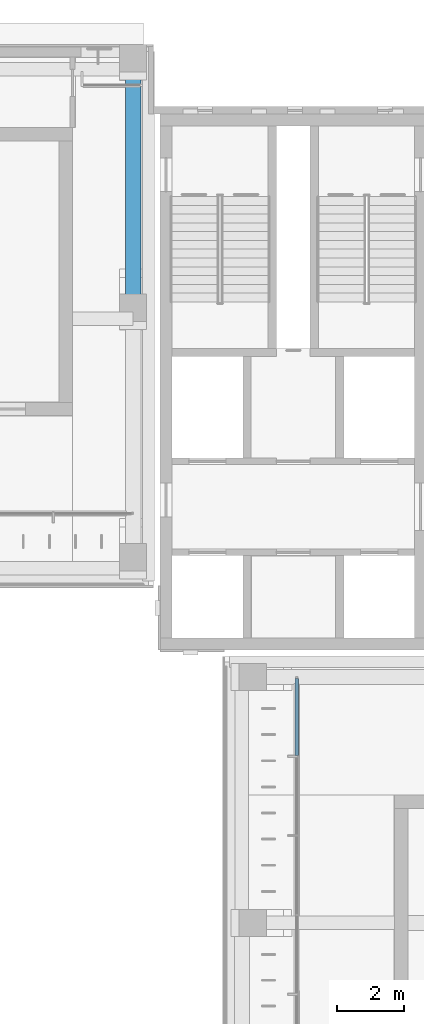
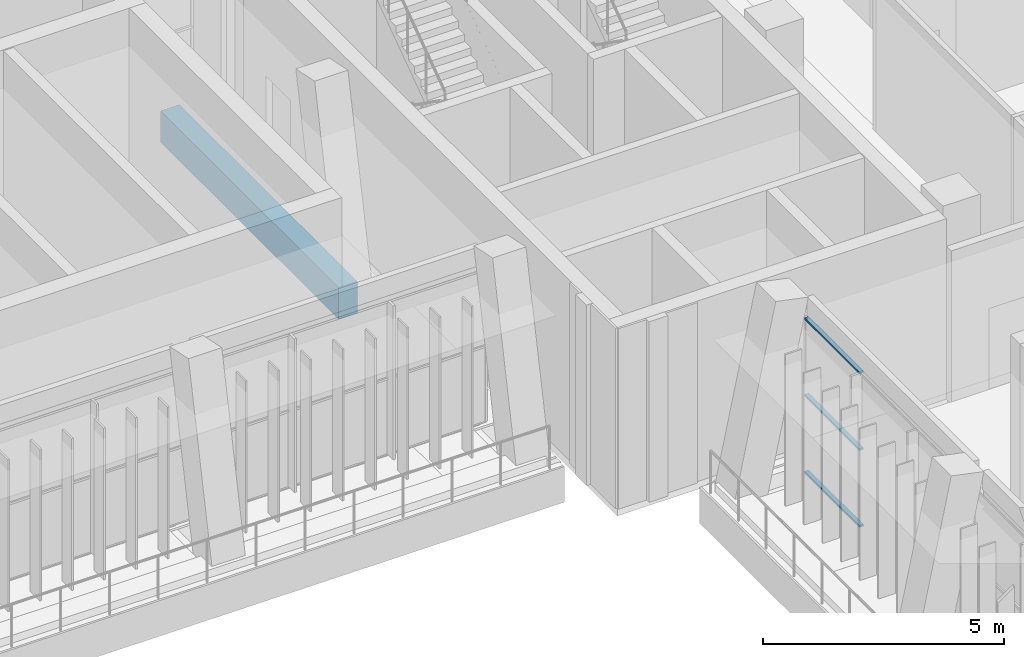
# One storey, part 83 of 141: 3 members, 1 beam, 1 element without a shape of its own.
"""IFC4 building model written with IfcOpenShell, lengths in metres."""

from ifc_helpers import new_model, si_unit, direction, frame, origin, origin_2d, place, context, subcontext, project, spatial, rectangle, extrude, material, material_profile, profile_set, type_object, element, aggregate, save


model = new_model("IFC4")

# Units and contexts
model_context = context("Model", 3, precision=1e-05, world=origin(), true_north=direction((0.0, 1.0)))
body_context = subcontext(model_context, "Body", "Model", "MODEL_VIEW")
ifc_project = project(units=[si_unit("LENGTHUNIT", "METRE"), si_unit("AREAUNIT", "SQUARE_METRE"), si_unit("VOLUMEUNIT", "CUBIC_METRE"), si_unit("PLANEANGLEUNIT", "RADIAN"), si_unit("MASSUNIT", "GRAM", prefix="KILO")], contexts=[model_context])

# Site, building, storey
site_placement = place(None, origin())
site = spatial("IfcSite", under=ifc_project, at=site_placement, CompositionType="ELEMENT")
building_placement = place(site_placement, origin())
building = spatial("IfcBuilding", under=site, at=building_placement, Name="Lantern Court Media Centre", CompositionType="ELEMENT")
storey_placement = place(building_placement, frame((0.0, 0.0, 9.60009765625)))
storey = spatial("IfcBuildingStorey", under=building, at=storey_placement, Name="L02", CompositionType="ELEMENT", Elevation=9.60009765625)

# Curtain wall, members
ifc_material_1 = material(Name="Curtain wall bay 2400")
curtain_wall_type = type_object("IfcCurtainWallType", Name="Curtain wall bay 2400", PredefinedType="NOTDEFINED", material=ifc_material_1)
curtain_wall_placement = place(storey_placement, origin())
curtain_wall = element("IfcCurtainWall", 1, at=curtain_wall_placement, inside=storey, type_object=curtain_wall_type, Name="Curtain wall E inner L02", PredefinedType="NOTDEFINED")
ifc_material_2 = material(Name="Anodised aluminium", Category="aluminium")
ifc_material_profile_1 = material_profile(ifc_material_2, rectangle(XDim=0.10009765625, YDim=0.050048828125, at=origin_2d()), Name="AL 50x100")
ifc_profile_set_1 = profile_set([ifc_material_profile_1], Name="Anodised aluminium")
member_type = type_object("IfcMemberType", Name="Curtain wall transom 100x50", PredefinedType="USERDEFINED", material=ifc_profile_set_1)
member_1_placement = place(storey_placement, frame((84.14990234375, 92.97119140625, 0.02490234375), z_axis=(0.0, 1.0, 0.0), x_axis=(-1.0, 0.0, 0.0)))
member_1 = element("IfcMember", 2, at=member_1_placement, type_object=member_type, Name="CW2 transom 13.1", ObjectType="TRANSOM", PredefinedType="USERDEFINED", context=body_context, shape_type="SweptSolid", body=[
    extrude(rectangle(XDim=0.10009765625, YDim=0.050048828125, at=origin_2d()), origin(), (0.0, 0.0, 1.0), 2.27880859375),
])
member_2_placement = place(storey_placement, frame((84.14990234375, 92.97119140625, 1.974853515625), z_axis=(0.0, 1.0, 0.0), x_axis=(-1.0, 0.0, 0.0)))
member_2 = element("IfcMember", 3, at=member_2_placement, type_object=member_type, Name="CW2 transom 13.2", ObjectType="TRANSOM", PredefinedType="USERDEFINED", context=body_context, shape_type="SweptSolid", body=[
    extrude(rectangle(XDim=0.10009765625, YDim=0.050048828125, at=origin_2d()), origin(), (0.0, 0.0, 1.0), 2.27880859375),
])
member_3_placement = place(storey_placement, frame((84.14990234375, 92.97119140625, 3.9248046875), z_axis=(0.0, 1.0, 0.0), x_axis=(-1.0, 0.0, 0.0)))
member_3 = element("IfcMember", 4, at=member_3_placement, type_object=member_type, Name="CW2 transom 13.3", ObjectType="TRANSOM", PredefinedType="USERDEFINED", context=body_context, shape_type="SweptSolid", body=[
    extrude(rectangle(XDim=0.10009765625, YDim=0.050048828125, at=origin_2d()), origin(), (0.0, 0.0, 1.0), 2.27880859375),
])
aggregate(curtain_wall, [member_1, member_2, member_3])

# Beam
ifc_material_3 = material(Name="Concrete C35", Category="concrete")
ifc_material_profile_2 = material_profile(ifc_material_3, rectangle(XDim=0.449951171875, YDim=0.800048828125, at=origin_2d()), Name="RC 450x800")
ifc_profile_set_2 = profile_set([ifc_material_profile_2], Name="Concrete C35")
beam_type = type_object("IfcBeamType", Name="RC BEAM 450x800", PredefinedType="BEAM", material=ifc_profile_set_2)
beam_placement = place(storey_placement, frame((79.300048828125, 105.916748046875, -0.400146484375), z_axis=(0.0, 1.0, 0.0), x_axis=(-1.0, 0.0, 0.0)))
element("IfcBeam", 5, at=beam_placement, inside=storey, type_object=beam_type, Name="TB-N-L02-7-2", PredefinedType="BEAM", context=body_context, shape_type="SweptSolid", body=[
    extrude(rectangle(XDim=0.449951171875, YDim=0.800048828125, at=origin_2d()), origin(), (0.0, 0.0, 1.0), 7.39990234375),
])

save(model, "model.ifc")
